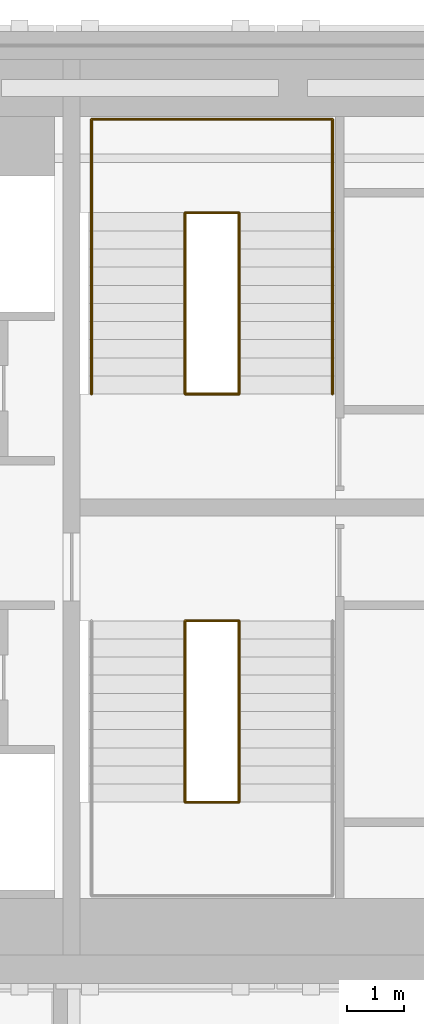
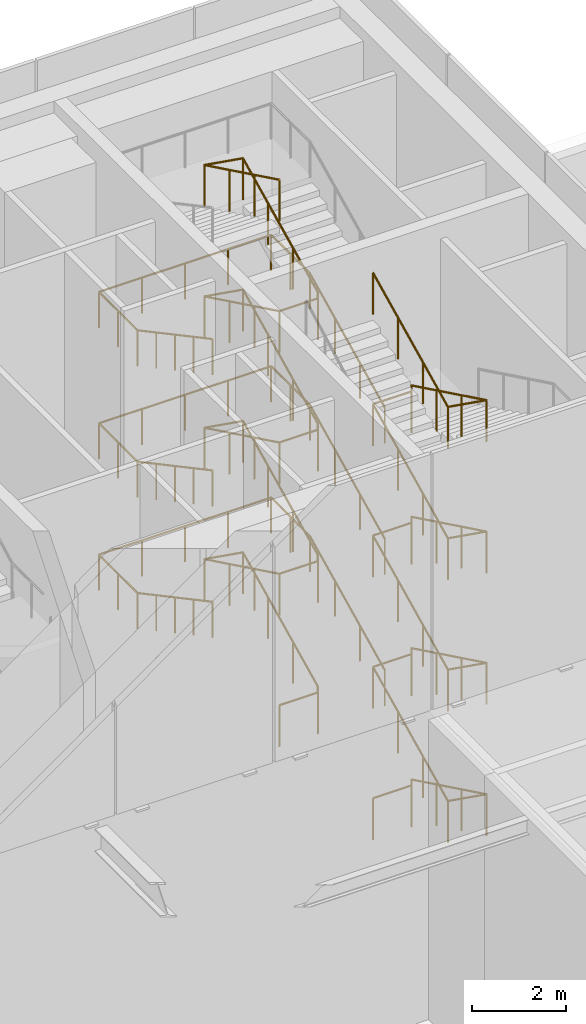
# One storey, part 13 of 14: 11 railings.
"""IFC4 building model written with IfcOpenShell, lengths in metres."""

from ifc_helpers import new_model, si_unit, direction, frame, origin, origin_2d, place, context, subcontext, project, spatial, circle, extrude, material, type_object, element, save


model = new_model("IFC4")

# Units and contexts
model_context = context("Model", 3, precision=1e-05, world=origin(), true_north=direction((0.0, 1.0)))
body_context = subcontext(model_context, "Body", "Model", "MODEL_VIEW")
ifc_project = project(units=[si_unit("LENGTHUNIT", "METRE"), si_unit("AREAUNIT", "SQUARE_METRE"), si_unit("VOLUMEUNIT", "CUBIC_METRE"), si_unit("PLANEANGLEUNIT", "RADIAN"), si_unit("MASSUNIT", "GRAM", prefix="KILO")], contexts=[model_context])

# Site, building, storey
site_placement = place(None, origin())
site = spatial("IfcSite", under=ifc_project, at=site_placement, CompositionType="ELEMENT")
building_placement = place(site_placement, origin())
building = spatial("IfcBuilding", under=site, at=building_placement, Name="Marenta Gate Hotel Tower", CompositionType="ELEMENT")
storey_placement = place(building_placement, frame((0.0, 0.0, 295.699951171875)))
storey = spatial("IfcBuildingStorey", under=building, at=storey_placement, Name="L67", CompositionType="ELEMENT", Elevation=295.699951171875)

# Railings
ifc_material_1 = material(Name="Stainless steel", Category="steel")
railing_type_1 = type_object("IfcRailingType", Name="Core stair handrail 950", PredefinedType="HANDRAIL", material=ifc_material_1)
railing_1_placement = place(storey_placement, frame((8.800048828125, 10.39990234375, 0.15576171875)))
element("IfcRailing", 1, at=railing_1_placement, inside=storey, type_object=railing_type_1, Name="HR-950 L67-KR-ST4-1", PredefinedType="HANDRAIL", context=body_context, shape_type="SweptSolid", body=[
    extrude(circle(Radius=0.02392578125, at=origin_2d()), frame((0.0, 0.0, 0.92578125), z_axis=(0.0, 0.899231441842, 0.437473215184), x_axis=(-1.0, 0.0, 0.0)), (0.0, 0.0, 1.0), 3.558837890625),
    extrude(circle(Radius=0.02392578125, at=origin_2d()), frame((0.0, 3.2001953125, 2.48291015625), z_axis=(0.0, 1.0, 0.0), x_axis=(-1.0, 0.0, 0.0)), (0.0, 0.0, 1.0), 1.64990234375),
    extrude(circle(Radius=0.02392578125, at=origin_2d()), frame((0.0, 4.85009765625, 2.48291015625), z_axis=(-1.0, 0.0, 0.0), x_axis=(0.0, -1.0, 0.0)), (0.0, 0.0, 1.0), 4.25),
    extrude(circle(Radius=0.02392578125, at=origin_2d()), frame((-4.25, 4.85009765625, 2.48291015625), z_axis=(0.0, -1.0, 0.0), x_axis=(1.0, 0.0, 0.0)), (0.0, 0.0, 1.0), 1.64990234375),
    extrude(circle(Radius=0.02392578125, at=origin_2d()), frame((-4.25, 3.2001953125, 2.48291015625), z_axis=(0.0, -0.881707861185, 0.47179576887), x_axis=(1.0, 0.0, 0.0)), (0.0, 0.0, 1.0), 3.629638671875),
    extrude(circle(Radius=0.02099609375, at=origin_2d()), origin(), (0.0, 0.0, 1.0), 0.90185546875),
    extrude(circle(Radius=0.02099609375, at=origin_2d()), frame((0.0, 1.066650390625, 0.51904296875)), (0.0, 0.0, 1.0), 0.90185546875),
    extrude(circle(Radius=0.02099609375, at=origin_2d()), frame((0.0, 2.133544921875, 1.037841796875)), (0.0, 0.0, 1.0), 0.90185546875),
    extrude(circle(Radius=0.02099609375, at=origin_2d()), frame((0.0, 3.2001953125, 1.556884765625)), (0.0, 0.0, 1.0), 0.90185546875),
    extrude(circle(Radius=0.02099609375, at=origin_2d()), frame((0.0, 4.025146484375, 1.556884765625)), (0.0, 0.0, 1.0), 0.90185546875),
    extrude(circle(Radius=0.02099609375, at=origin_2d()), frame((0.0, 4.85009765625, 1.556884765625)), (0.0, 0.0, 1.0), 0.90185546875),
    extrude(circle(Radius=0.02099609375, at=origin_2d()), frame((-1.0625, 4.85009765625, 1.556884765625)), (0.0, 0.0, 1.0), 0.90185546875),
    extrude(circle(Radius=0.02099609375, at=origin_2d()), frame((-2.125, 4.85009765625, 1.556884765625)), (0.0, 0.0, 1.0), 0.90185546875),
    extrude(circle(Radius=0.02099609375, at=origin_2d()), frame((-3.1875, 4.85009765625, 1.556884765625)), (0.0, 0.0, 1.0), 0.90185546875),
    extrude(circle(Radius=0.02099609375, at=origin_2d()), frame((-4.25, 4.85009765625, 1.556884765625)), (0.0, 0.0, 1.0), 0.90185546875),
    extrude(circle(Radius=0.02099609375, at=origin_2d()), frame((-4.25, 4.025146484375, 1.556884765625)), (0.0, 0.0, 1.0), 0.90185546875),
    extrude(circle(Radius=0.02099609375, at=origin_2d()), frame((-4.25, 3.2001953125, 1.556884765625)), (0.0, 0.0, 1.0), 0.90185546875),
    extrude(circle(Radius=0.02099609375, at=origin_2d()), frame((-4.25, 2.400146484375, 1.98486328125)), (0.0, 0.0, 1.0), 0.90185546875),
    extrude(circle(Radius=0.02099609375, at=origin_2d()), frame((-4.25, 1.60009765625, 2.4130859375)), (0.0, 0.0, 1.0), 0.90185546875),
    extrude(circle(Radius=0.02099609375, at=origin_2d()), frame((-4.25, 0.800048828125, 2.84130859375)), (0.0, 0.0, 1.0), 0.90185546875),
    extrude(circle(Radius=0.02099609375, at=origin_2d()), frame((-4.25, 0.0, 3.269287109375)), (0.0, 0.0, 1.0), 0.90185546875),
])
railing_2_placement = place(storey_placement, frame((8.800048828125, 10.39990234375, 3.580810546875)))
element("IfcRailing", 2, at=railing_2_placement, inside=storey, type_object=railing_type_1, Name="HR-950 L67-KR-ST4-3", PredefinedType="HANDRAIL", context=body_context, shape_type="SweptSolid", body=[
    extrude(circle(Radius=0.02392578125, at=origin_2d()), frame((0.0, 0.0, 0.92578125), z_axis=(0.0, 0.899258428152, 0.437417740151), x_axis=(-1.0, 0.0, 0.0)), (0.0, 0.0, 1.0), 3.55859375),
    extrude(circle(Radius=0.02392578125, at=origin_2d()), frame((0.0, 3.2001953125, 2.482421875), z_axis=(0.0, 1.0, 0.0), x_axis=(-1.0, 0.0, 0.0)), (0.0, 0.0, 1.0), 1.64990234375),
    extrude(circle(Radius=0.02392578125, at=origin_2d()), frame((0.0, 4.85009765625, 2.482421875), z_axis=(-1.0, 0.0, 0.0), x_axis=(0.0, -1.0, 0.0)), (0.0, 0.0, 1.0), 4.25),
    extrude(circle(Radius=0.02392578125, at=origin_2d()), frame((-4.25, 4.85009765625, 2.482421875), z_axis=(0.0, -1.0, 0.0), x_axis=(1.0, 0.0, 0.0)), (0.0, 0.0, 1.0), 1.64990234375),
    extrude(circle(Radius=0.02392578125, at=origin_2d()), frame((-4.25, 3.2001953125, 2.482421875), z_axis=(0.0, -0.881679879278, 0.471848058677), x_axis=(1.0, 0.0, 0.0)), (0.0, 0.0, 1.0), 3.629638671875),
    extrude(circle(Radius=0.02099609375, at=origin_2d()), origin(), (0.0, 0.0, 1.0), 0.90185546875),
    extrude(circle(Radius=0.02099609375, at=origin_2d()), frame((0.0, 1.066650390625, 0.518798828125)), (0.0, 0.0, 1.0), 0.90185546875),
    extrude(circle(Radius=0.02099609375, at=origin_2d()), frame((0.0, 2.133544921875, 1.037841796875)), (0.0, 0.0, 1.0), 0.90185546875),
    extrude(circle(Radius=0.02099609375, at=origin_2d()), frame((0.0, 3.2001953125, 1.556640625)), (0.0, 0.0, 1.0), 0.90185546875),
    extrude(circle(Radius=0.02099609375, at=origin_2d()), frame((0.0, 4.025146484375, 1.556640625)), (0.0, 0.0, 1.0), 0.90185546875),
    extrude(circle(Radius=0.02099609375, at=origin_2d()), frame((0.0, 4.85009765625, 1.556640625)), (0.0, 0.0, 1.0), 0.90185546875),
    extrude(circle(Radius=0.02099609375, at=origin_2d()), frame((-1.0625, 4.85009765625, 1.556640625)), (0.0, 0.0, 1.0), 0.90185546875),
    extrude(circle(Radius=0.02099609375, at=origin_2d()), frame((-2.125, 4.85009765625, 1.556640625)), (0.0, 0.0, 1.0), 0.90185546875),
    extrude(circle(Radius=0.02099609375, at=origin_2d()), frame((-3.1875, 4.85009765625, 1.556640625)), (0.0, 0.0, 1.0), 0.90185546875),
    extrude(circle(Radius=0.02099609375, at=origin_2d()), frame((-4.25, 4.85009765625, 1.556640625)), (0.0, 0.0, 1.0), 0.90185546875),
    extrude(circle(Radius=0.02099609375, at=origin_2d()), frame((-4.25, 4.025146484375, 1.556640625)), (0.0, 0.0, 1.0), 0.90185546875),
    extrude(circle(Radius=0.02099609375, at=origin_2d()), frame((-4.25, 3.2001953125, 1.556640625)), (0.0, 0.0, 1.0), 0.90185546875),
    extrude(circle(Radius=0.02099609375, at=origin_2d()), frame((-4.25, 2.400146484375, 1.98486328125)), (0.0, 0.0, 1.0), 0.90185546875),
    extrude(circle(Radius=0.02099609375, at=origin_2d()), frame((-4.25, 1.60009765625, 2.4130859375)), (0.0, 0.0, 1.0), 0.90185546875),
    extrude(circle(Radius=0.02099609375, at=origin_2d()), frame((-4.25, 0.800048828125, 2.841064453125)), (0.0, 0.0, 1.0), 0.90185546875),
    extrude(circle(Radius=0.02099609375, at=origin_2d()), frame((-4.25, 0.0, 3.269287109375)), (0.0, 0.0, 1.0), 0.90185546875),
])
railing_3_placement = place(storey_placement, frame((8.800048828125, 10.39990234375, 7.005615234375)))
element("IfcRailing", 3, at=railing_3_placement, inside=storey, type_object=railing_type_1, Name="HR-950 L67-KR-ST4-5", PredefinedType="HANDRAIL", context=body_context, shape_type="SweptSolid", body=[
    extrude(circle(Radius=0.02392578125, at=origin_2d()), frame((0.0, 0.0, 0.92578125), z_axis=(0.0, 0.899231441842, 0.437473215184), x_axis=(-1.0, 0.0, 0.0)), (0.0, 0.0, 1.0), 3.558837890625),
    extrude(circle(Radius=0.02392578125, at=origin_2d()), frame((0.0, 3.2001953125, 2.48291015625), z_axis=(0.0, 1.0, 0.0), x_axis=(-1.0, 0.0, 0.0)), (0.0, 0.0, 1.0), 1.64990234375),
    extrude(circle(Radius=0.02392578125, at=origin_2d()), frame((0.0, 4.85009765625, 2.48291015625), z_axis=(-1.0, 0.0, 0.0), x_axis=(0.0, -1.0, 0.0)), (0.0, 0.0, 1.0), 4.25),
    extrude(circle(Radius=0.02392578125, at=origin_2d()), frame((-4.25, 4.85009765625, 2.48291015625), z_axis=(0.0, -1.0, 0.0), x_axis=(1.0, 0.0, 0.0)), (0.0, 0.0, 1.0), 1.64990234375),
    extrude(circle(Radius=0.02392578125, at=origin_2d()), frame((-4.25, 3.2001953125, 2.48291015625), z_axis=(0.0, -0.881679879278, 0.471848058677), x_axis=(1.0, 0.0, 0.0)), (0.0, 0.0, 1.0), 3.629638671875),
    extrude(circle(Radius=0.02099609375, at=origin_2d()), origin(), (0.0, 0.0, 1.0), 0.90185546875),
    extrude(circle(Radius=0.02099609375, at=origin_2d()), frame((0.0, 1.066650390625, 0.51904296875)), (0.0, 0.0, 1.0), 0.90185546875),
    extrude(circle(Radius=0.02099609375, at=origin_2d()), frame((0.0, 2.133544921875, 1.037841796875)), (0.0, 0.0, 1.0), 0.90185546875),
    extrude(circle(Radius=0.02099609375, at=origin_2d()), frame((0.0, 3.2001953125, 1.556884765625)), (0.0, 0.0, 1.0), 0.90185546875),
    extrude(circle(Radius=0.02099609375, at=origin_2d()), frame((0.0, 4.025146484375, 1.556884765625)), (0.0, 0.0, 1.0), 0.90185546875),
    extrude(circle(Radius=0.02099609375, at=origin_2d()), frame((0.0, 4.85009765625, 1.556884765625)), (0.0, 0.0, 1.0), 0.90185546875),
    extrude(circle(Radius=0.02099609375, at=origin_2d()), frame((-1.0625, 4.85009765625, 1.556884765625)), (0.0, 0.0, 1.0), 0.90185546875),
    extrude(circle(Radius=0.02099609375, at=origin_2d()), frame((-2.125, 4.85009765625, 1.556884765625)), (0.0, 0.0, 1.0), 0.90185546875),
    extrude(circle(Radius=0.02099609375, at=origin_2d()), frame((-3.1875, 4.85009765625, 1.556884765625)), (0.0, 0.0, 1.0), 0.90185546875),
    extrude(circle(Radius=0.02099609375, at=origin_2d()), frame((-4.25, 4.85009765625, 1.556884765625)), (0.0, 0.0, 1.0), 0.90185546875),
    extrude(circle(Radius=0.02099609375, at=origin_2d()), frame((-4.25, 4.025146484375, 1.556884765625)), (0.0, 0.0, 1.0), 0.90185546875),
    extrude(circle(Radius=0.02099609375, at=origin_2d()), frame((-4.25, 3.2001953125, 1.556884765625)), (0.0, 0.0, 1.0), 0.90185546875),
    extrude(circle(Radius=0.02099609375, at=origin_2d()), frame((-4.25, 2.400146484375, 1.985107421875)), (0.0, 0.0, 1.0), 0.90185546875),
    extrude(circle(Radius=0.02099609375, at=origin_2d()), frame((-4.25, 1.60009765625, 2.4130859375)), (0.0, 0.0, 1.0), 0.90185546875),
    extrude(circle(Radius=0.02099609375, at=origin_2d()), frame((-4.25, 0.800048828125, 2.84130859375)), (0.0, 0.0, 1.0), 0.90185546875),
    extrude(circle(Radius=0.02099609375, at=origin_2d()), frame((-4.25, 0.0, 3.26953125)), (0.0, 0.0, 1.0), 0.90185546875),
])
ifc_material_2 = material(Name="Stainless steel", Category="steel")
railing_type_2 = type_object("IfcRailingType", Name="Core stair well guard 1100", PredefinedType="GUARDRAIL", material=ifc_material_2)
railing_4_placement = place(storey_placement, frame((6.199951171875, 6.39990234375, 0.0)))
element("IfcRailing", 4, at=railing_4_placement, inside=storey, type_object=railing_type_2, Name="GR-1100 L67-KR-ST3-2", PredefinedType="GUARDRAIL", context=body_context, shape_type="SweptSolid", body=[
    extrude(circle(Radius=0.02392578125, at=origin_2d()), frame((0.0, 0.0, 1.076171875), z_axis=(1.0, 0.0, 0.0), x_axis=(0.0, 1.0, 0.0)), (0.0, 0.0, 1.0), 0.949951171875),
    extrude(circle(Radius=0.02392578125, at=origin_2d()), frame((0.949951171875, 0.0, 1.076171875), z_axis=(0.0, 0.0, 1.0), x_axis=(1.0, 0.0, 0.0)), (0.0, 0.0, 1.0), 0.15576171875),
    extrude(circle(Radius=0.02392578125, at=origin_2d()), frame((0.949951171875, 0.0, 1.23193359375), z_axis=(0.0, -0.899218311435, 0.437500203862), x_axis=(1.0, 0.0, 0.0)), (0.0, 0.0, 1.0), 3.55859375),
    extrude(circle(Radius=0.02392578125, at=origin_2d()), frame((0.949951171875, -3.199951171875, 2.78857421875), z_axis=(-0.986862821655, 0.0, 0.161560425956), x_axis=(0.0, -1.0, 0.0)), (0.0, 0.0, 1.0), 0.962646484375),
    extrude(circle(Radius=0.02392578125, at=origin_2d()), frame((0.0, -3.199951171875, 2.9443359375), z_axis=(0.0, 0.899218311435, 0.437500203862), x_axis=(-1.0, 0.0, 0.0)), (0.0, 0.0, 1.0), 3.55859375),
    extrude(circle(Radius=0.02099609375, at=origin_2d()), origin(), (0.0, 0.0, 1.0), 1.052001953125),
    extrude(circle(Radius=0.02099609375, at=origin_2d()), frame((0.949951171875, 0.0, 0.0)), (0.0, 0.0, 1.0), 1.052001953125),
    extrude(circle(Radius=0.02099609375, at=origin_2d()), frame((0.949951171875, 0.0, 0.15576171875)), (0.0, 0.0, 1.0), 1.052001953125),
    extrude(circle(Radius=0.02099609375, at=origin_2d()), frame((0.949951171875, -1.066650390625, 0.6748046875)), (0.0, 0.0, 1.0), 1.052001953125),
    extrude(circle(Radius=0.02099609375, at=origin_2d()), frame((0.949951171875, -2.13330078125, 1.193603515625)), (0.0, 0.0, 1.0), 1.052001953125),
    extrude(circle(Radius=0.02099609375, at=origin_2d()), frame((0.949951171875, -3.199951171875, 1.712646484375)), (0.0, 0.0, 1.0), 1.052001953125),
    extrude(circle(Radius=0.02099609375, at=origin_2d()), frame((0.0, -3.199951171875, 1.8681640625)), (0.0, 0.0, 1.0), 1.052001953125),
    extrude(circle(Radius=0.02099609375, at=origin_2d()), frame((0.0, -2.13330078125, 2.38720703125)), (0.0, 0.0, 1.0), 1.052001953125),
    extrude(circle(Radius=0.02099609375, at=origin_2d()), frame((0.0, -1.066650390625, 2.906005859375)), (0.0, 0.0, 1.0), 1.052001953125),
    extrude(circle(Radius=0.02099609375, at=origin_2d()), frame((0.0, 0.0, 3.425048828125)), (0.0, 0.0, 1.0), 1.052001953125),
])
railing_5_placement = place(storey_placement, frame((6.199951171875, 6.39990234375, 3.425048828125)))
element("IfcRailing", 5, at=railing_5_placement, inside=storey, type_object=railing_type_2, Name="GR-1100 L67-KR-ST3-4", PredefinedType="GUARDRAIL", context=body_context, shape_type="SweptSolid", body=[
    extrude(circle(Radius=0.02392578125, at=origin_2d()), frame((0.0, 0.0, 1.076171875), z_axis=(1.0, 0.0, 0.0), x_axis=(0.0, 1.0, 0.0)), (0.0, 0.0, 1.0), 0.949951171875),
    extrude(circle(Radius=0.02392578125, at=origin_2d()), frame((0.949951171875, 0.0, 1.076171875), z_axis=(0.0, 0.0, 1.0), x_axis=(1.0, 0.0, 0.0)), (0.0, 0.0, 1.0), 0.15576171875),
    extrude(circle(Radius=0.02392578125, at=origin_2d()), frame((0.949951171875, 0.0, 1.23193359375), z_axis=(0.0, -0.899245300681, 0.437444727027), x_axis=(1.0, 0.0, 0.0)), (0.0, 0.0, 1.0), 3.55859375),
    extrude(circle(Radius=0.02392578125, at=origin_2d()), frame((0.949951171875, -3.199951171875, 2.78857421875), z_axis=(-0.986822354621, 0.0, 0.161807417694), x_axis=(0.0, -1.0, 0.0)), (0.0, 0.0, 1.0), 0.962646484375),
    extrude(circle(Radius=0.02392578125, at=origin_2d()), frame((0.0, -3.199951171875, 2.9443359375), z_axis=(0.0, 0.899218311435, 0.437500203862), x_axis=(-1.0, 0.0, 0.0)), (0.0, 0.0, 1.0), 3.55859375),
    extrude(circle(Radius=0.02099609375, at=origin_2d()), origin(), (0.0, 0.0, 1.0), 1.052001953125),
    extrude(circle(Radius=0.02099609375, at=origin_2d()), frame((0.949951171875, 0.0, 0.0)), (0.0, 0.0, 1.0), 1.052001953125),
    extrude(circle(Radius=0.02099609375, at=origin_2d()), frame((0.949951171875, 0.0, 0.15576171875)), (0.0, 0.0, 1.0), 1.052001953125),
    extrude(circle(Radius=0.02099609375, at=origin_2d()), frame((0.949951171875, -1.066650390625, 0.674560546875)), (0.0, 0.0, 1.0), 1.052001953125),
    extrude(circle(Radius=0.02099609375, at=origin_2d()), frame((0.949951171875, -2.13330078125, 1.193603515625)), (0.0, 0.0, 1.0), 1.052001953125),
    extrude(circle(Radius=0.02099609375, at=origin_2d()), frame((0.949951171875, -3.199951171875, 1.71240234375)), (0.0, 0.0, 1.0), 1.052001953125),
    extrude(circle(Radius=0.02099609375, at=origin_2d()), frame((0.0, -3.199951171875, 1.8681640625)), (0.0, 0.0, 1.0), 1.052001953125),
    extrude(circle(Radius=0.02099609375, at=origin_2d()), frame((0.0, -2.13330078125, 2.38720703125)), (0.0, 0.0, 1.0), 1.052001953125),
    extrude(circle(Radius=0.02099609375, at=origin_2d()), frame((0.0, -1.066650390625, 2.906005859375)), (0.0, 0.0, 1.0), 1.052001953125),
    extrude(circle(Radius=0.02099609375, at=origin_2d()), frame((0.0, 0.0, 3.425048828125)), (0.0, 0.0, 1.0), 1.052001953125),
])
railing_6_placement = place(storey_placement, frame((6.199951171875, 6.39990234375, 6.85009765625)))
element("IfcRailing", 6, at=railing_6_placement, inside=storey, type_object=railing_type_2, Name="GR-1100 L67-KR-ST3-6", PredefinedType="GUARDRAIL", context=body_context, shape_type="SweptSolid", body=[
    extrude(circle(Radius=0.02392578125, at=origin_2d()), frame((0.0, 0.0, 1.076171875), z_axis=(1.0, 0.0, 0.0), x_axis=(0.0, 1.0, 0.0)), (0.0, 0.0, 1.0), 0.949951171875),
    extrude(circle(Radius=0.02392578125, at=origin_2d()), frame((0.949951171875, 0.0, 1.076171875), z_axis=(0.0, 0.0, 1.0), x_axis=(1.0, 0.0, 0.0)), (0.0, 0.0, 1.0), 0.155517578125),
    extrude(circle(Radius=0.02392578125, at=origin_2d()), frame((0.949951171875, 0.0, 1.2314453125), z_axis=(0.0, -0.899218311435, 0.437500203862), x_axis=(1.0, 0.0, 0.0)), (0.0, 0.0, 1.0), 3.55859375),
    extrude(circle(Radius=0.02392578125, at=origin_2d()), frame((0.949951171875, -3.199951171875, 2.78857421875), z_axis=(-0.986822354621, 0.0, 0.161807417694), x_axis=(0.0, -1.0, 0.0)), (0.0, 0.0, 1.0), 0.962646484375),
    extrude(circle(Radius=0.02392578125, at=origin_2d()), frame((0.0, -3.199951171875, 2.9443359375), z_axis=(0.0, 0.899218311435, 0.437500203862), x_axis=(-1.0, 0.0, 0.0)), (0.0, 0.0, 1.0), 3.55859375),
    extrude(circle(Radius=0.02099609375, at=origin_2d()), origin(), (0.0, 0.0, 1.0), 1.052001953125),
    extrude(circle(Radius=0.02099609375, at=origin_2d()), frame((0.949951171875, 0.0, 0.0)), (0.0, 0.0, 1.0), 1.052001953125),
    extrude(circle(Radius=0.02099609375, at=origin_2d()), frame((0.949951171875, 0.0, 0.155517578125)), (0.0, 0.0, 1.0), 1.052001953125),
    extrude(circle(Radius=0.02099609375, at=origin_2d()), frame((0.949951171875, -1.066650390625, 0.674560546875)), (0.0, 0.0, 1.0), 1.052001953125),
    extrude(circle(Radius=0.02099609375, at=origin_2d()), frame((0.949951171875, -2.13330078125, 1.193359375)), (0.0, 0.0, 1.0), 1.052001953125),
    extrude(circle(Radius=0.02099609375, at=origin_2d()), frame((0.949951171875, -3.199951171875, 1.71240234375)), (0.0, 0.0, 1.0), 1.052001953125),
    extrude(circle(Radius=0.02099609375, at=origin_2d()), frame((0.0, -3.199951171875, 1.8681640625)), (0.0, 0.0, 1.0), 1.052001953125),
    extrude(circle(Radius=0.02099609375, at=origin_2d()), frame((0.0, -2.13330078125, 2.38720703125)), (0.0, 0.0, 1.0), 1.052001953125),
    extrude(circle(Radius=0.02099609375, at=origin_2d()), frame((0.0, -1.066650390625, 2.906005859375)), (0.0, 0.0, 1.0), 1.052001953125),
    extrude(circle(Radius=0.02099609375, at=origin_2d()), frame((0.0, 0.0, 3.425048828125)), (0.0, 0.0, 1.0), 1.052001953125),
])
railing_7_placement = place(storey_placement, frame((6.199951171875, 6.39990234375, 10.275146484375)))
element("IfcRailing", 7, at=railing_7_placement, inside=storey, type_object=railing_type_2, Name="GR-1100 L67-KR-ST3-8", PredefinedType="GUARDRAIL", context=body_context, shape_type="SweptSolid", body=[
    extrude(circle(Radius=0.02392578125, at=origin_2d()), frame((0.0, 0.0, 1.076171875), z_axis=(1.0, 0.0, 0.0), x_axis=(0.0, 1.0, 0.0)), (0.0, 0.0, 1.0), 0.949951171875),
    extrude(circle(Radius=0.02392578125, at=origin_2d()), frame((0.949951171875, 0.0, 1.076171875), z_axis=(0.0, 0.0, 1.0), x_axis=(1.0, 0.0, 0.0)), (0.0, 0.0, 1.0), 0.155517578125),
    extrude(circle(Radius=0.02392578125, at=origin_2d()), frame((0.949951171875, 0.0, 1.2314453125), z_axis=(0.0, -0.899218311435, 0.437500203862), x_axis=(1.0, 0.0, 0.0)), (0.0, 0.0, 1.0), 3.55859375),
    extrude(circle(Radius=0.02392578125, at=origin_2d()), frame((0.949951171875, -3.199951171875, 2.78857421875), z_axis=(-0.986822354621, 0.0, 0.161807417694), x_axis=(0.0, -1.0, 0.0)), (0.0, 0.0, 1.0), 0.962646484375),
    extrude(circle(Radius=0.02392578125, at=origin_2d()), frame((0.0, -3.199951171875, 2.9443359375), z_axis=(0.0, 0.899245300681, 0.437444727027), x_axis=(-1.0, 0.0, 0.0)), (0.0, 0.0, 1.0), 3.55859375),
    extrude(circle(Radius=0.02099609375, at=origin_2d()), origin(), (0.0, 0.0, 1.0), 1.052001953125),
    extrude(circle(Radius=0.02099609375, at=origin_2d()), frame((0.949951171875, 0.0, 0.0)), (0.0, 0.0, 1.0), 1.052001953125),
    extrude(circle(Radius=0.02099609375, at=origin_2d()), frame((0.949951171875, 0.0, 0.155517578125)), (0.0, 0.0, 1.0), 1.052001953125),
    extrude(circle(Radius=0.02099609375, at=origin_2d()), frame((0.949951171875, -1.066650390625, 0.674560546875)), (0.0, 0.0, 1.0), 1.052001953125),
    extrude(circle(Radius=0.02099609375, at=origin_2d()), frame((0.949951171875, -2.13330078125, 1.193359375)), (0.0, 0.0, 1.0), 1.052001953125),
    extrude(circle(Radius=0.02099609375, at=origin_2d()), frame((0.949951171875, -3.199951171875, 1.71240234375)), (0.0, 0.0, 1.0), 1.052001953125),
    extrude(circle(Radius=0.02099609375, at=origin_2d()), frame((0.0, -3.199951171875, 1.8681640625)), (0.0, 0.0, 1.0), 1.052001953125),
    extrude(circle(Radius=0.02099609375, at=origin_2d()), frame((0.0, -2.13330078125, 2.386962890625)), (0.0, 0.0, 1.0), 1.052001953125),
    extrude(circle(Radius=0.02099609375, at=origin_2d()), frame((0.0, -1.066650390625, 2.906005859375)), (0.0, 0.0, 1.0), 1.052001953125),
    extrude(circle(Radius=0.02099609375, at=origin_2d()), frame((0.0, 0.0, 3.4248046875)), (0.0, 0.0, 1.0), 1.052001953125),
])
railing_8_placement = place(storey_placement, frame((6.199951171875, 10.39990234375, 0.0)))
element("IfcRailing", 8, at=railing_8_placement, inside=storey, type_object=railing_type_2, Name="GR-1100 L67-KR-ST4-2", PredefinedType="GUARDRAIL", context=body_context, shape_type="SweptSolid", body=[
    extrude(circle(Radius=0.02392578125, at=origin_2d()), frame((0.0, 0.0, 1.076171875), z_axis=(1.0, 0.0, 0.0), x_axis=(0.0, 1.0, 0.0)), (0.0, 0.0, 1.0), 0.949951171875),
    extrude(circle(Radius=0.02392578125, at=origin_2d()), frame((0.949951171875, 0.0, 1.076171875), z_axis=(0.0, 0.0, 1.0), x_axis=(1.0, 0.0, 0.0)), (0.0, 0.0, 1.0), 0.15576171875),
    extrude(circle(Radius=0.02392578125, at=origin_2d()), frame((0.949951171875, 0.0, 1.23193359375), z_axis=(0.0, 0.899231441842, 0.437473215184), x_axis=(-1.0, 0.0, 0.0)), (0.0, 0.0, 1.0), 3.558837890625),
    extrude(circle(Radius=0.02392578125, at=origin_2d()), frame((0.949951171875, 3.2001953125, 2.78857421875), z_axis=(-0.986862821655, 0.0, 0.161560425956), x_axis=(0.0, -1.0, 0.0)), (0.0, 0.0, 1.0), 0.962646484375),
    extrude(circle(Radius=0.02392578125, at=origin_2d()), frame((0.0, 3.2001953125, 2.9443359375), z_axis=(0.0, -0.899231441842, 0.437473215184), x_axis=(1.0, 0.0, 0.0)), (0.0, 0.0, 1.0), 3.558837890625),
    extrude(circle(Radius=0.02099609375, at=origin_2d()), origin(), (0.0, 0.0, 1.0), 1.052001953125),
    extrude(circle(Radius=0.02099609375, at=origin_2d()), frame((0.949951171875, 0.0, 0.0)), (0.0, 0.0, 1.0), 1.052001953125),
    extrude(circle(Radius=0.02099609375, at=origin_2d()), frame((0.949951171875, 0.0, 0.15576171875)), (0.0, 0.0, 1.0), 1.052001953125),
    extrude(circle(Radius=0.02099609375, at=origin_2d()), frame((0.949951171875, 1.066650390625, 0.6748046875)), (0.0, 0.0, 1.0), 1.052001953125),
    extrude(circle(Radius=0.02099609375, at=origin_2d()), frame((0.949951171875, 2.133544921875, 1.193603515625)), (0.0, 0.0, 1.0), 1.052001953125),
    extrude(circle(Radius=0.02099609375, at=origin_2d()), frame((0.949951171875, 3.2001953125, 1.712646484375)), (0.0, 0.0, 1.0), 1.052001953125),
    extrude(circle(Radius=0.02099609375, at=origin_2d()), frame((0.0, 3.2001953125, 1.8681640625)), (0.0, 0.0, 1.0), 1.052001953125),
    extrude(circle(Radius=0.02099609375, at=origin_2d()), frame((0.0, 2.133544921875, 2.38720703125)), (0.0, 0.0, 1.0), 1.052001953125),
    extrude(circle(Radius=0.02099609375, at=origin_2d()), frame((0.0, 1.066650390625, 2.906005859375)), (0.0, 0.0, 1.0), 1.052001953125),
    extrude(circle(Radius=0.02099609375, at=origin_2d()), frame((0.0, 0.0, 3.425048828125)), (0.0, 0.0, 1.0), 1.052001953125),
])
railing_9_placement = place(storey_placement, frame((6.199951171875, 10.39990234375, 3.425048828125)))
element("IfcRailing", 9, at=railing_9_placement, inside=storey, type_object=railing_type_2, Name="GR-1100 L67-KR-ST4-4", PredefinedType="GUARDRAIL", context=body_context, shape_type="SweptSolid", body=[
    extrude(circle(Radius=0.02392578125, at=origin_2d()), frame((0.0, 0.0, 1.076171875), z_axis=(1.0, 0.0, 0.0), x_axis=(0.0, 1.0, 0.0)), (0.0, 0.0, 1.0), 0.949951171875),
    extrude(circle(Radius=0.02392578125, at=origin_2d()), frame((0.949951171875, 0.0, 1.076171875), z_axis=(0.0, 0.0, 1.0), x_axis=(1.0, 0.0, 0.0)), (0.0, 0.0, 1.0), 0.15576171875),
    extrude(circle(Radius=0.02392578125, at=origin_2d()), frame((0.949951171875, 0.0, 1.23193359375), z_axis=(0.0, 0.899258428152, 0.437417740151), x_axis=(-1.0, 0.0, 0.0)), (0.0, 0.0, 1.0), 3.55859375),
    extrude(circle(Radius=0.02392578125, at=origin_2d()), frame((0.949951171875, 3.2001953125, 2.78857421875), z_axis=(-0.986822354621, 0.0, 0.161807417694), x_axis=(0.0, -1.0, 0.0)), (0.0, 0.0, 1.0), 0.962646484375),
    extrude(circle(Radius=0.02392578125, at=origin_2d()), frame((0.0, 3.2001953125, 2.9443359375), z_axis=(0.0, -0.899231441842, 0.437473215184), x_axis=(1.0, 0.0, 0.0)), (0.0, 0.0, 1.0), 3.558837890625),
    extrude(circle(Radius=0.02099609375, at=origin_2d()), origin(), (0.0, 0.0, 1.0), 1.052001953125),
    extrude(circle(Radius=0.02099609375, at=origin_2d()), frame((0.949951171875, 0.0, 0.0)), (0.0, 0.0, 1.0), 1.052001953125),
    extrude(circle(Radius=0.02099609375, at=origin_2d()), frame((0.949951171875, 0.0, 0.15576171875)), (0.0, 0.0, 1.0), 1.052001953125),
    extrude(circle(Radius=0.02099609375, at=origin_2d()), frame((0.949951171875, 1.066650390625, 0.674560546875)), (0.0, 0.0, 1.0), 1.052001953125),
    extrude(circle(Radius=0.02099609375, at=origin_2d()), frame((0.949951171875, 2.133544921875, 1.193603515625)), (0.0, 0.0, 1.0), 1.052001953125),
    extrude(circle(Radius=0.02099609375, at=origin_2d()), frame((0.949951171875, 3.2001953125, 1.71240234375)), (0.0, 0.0, 1.0), 1.052001953125),
    extrude(circle(Radius=0.02099609375, at=origin_2d()), frame((0.0, 3.2001953125, 1.8681640625)), (0.0, 0.0, 1.0), 1.052001953125),
    extrude(circle(Radius=0.02099609375, at=origin_2d()), frame((0.0, 2.133544921875, 2.38720703125)), (0.0, 0.0, 1.0), 1.052001953125),
    extrude(circle(Radius=0.02099609375, at=origin_2d()), frame((0.0, 1.066650390625, 2.906005859375)), (0.0, 0.0, 1.0), 1.052001953125),
    extrude(circle(Radius=0.02099609375, at=origin_2d()), frame((0.0, 0.0, 3.425048828125)), (0.0, 0.0, 1.0), 1.052001953125),
])
railing_10_placement = place(storey_placement, frame((6.199951171875, 10.39990234375, 6.85009765625)))
element("IfcRailing", 10, at=railing_10_placement, inside=storey, type_object=railing_type_2, Name="GR-1100 L67-KR-ST4-6", PredefinedType="GUARDRAIL", context=body_context, shape_type="SweptSolid", body=[
    extrude(circle(Radius=0.02392578125, at=origin_2d()), frame((0.0, 0.0, 1.076171875), z_axis=(1.0, 0.0, 0.0), x_axis=(0.0, 1.0, 0.0)), (0.0, 0.0, 1.0), 0.949951171875),
    extrude(circle(Radius=0.02392578125, at=origin_2d()), frame((0.949951171875, 0.0, 1.076171875), z_axis=(0.0, 0.0, 1.0), x_axis=(1.0, 0.0, 0.0)), (0.0, 0.0, 1.0), 0.155517578125),
    extrude(circle(Radius=0.02392578125, at=origin_2d()), frame((0.949951171875, 0.0, 1.2314453125), z_axis=(0.0, 0.899231441842, 0.437473215184), x_axis=(-1.0, 0.0, 0.0)), (0.0, 0.0, 1.0), 3.558837890625),
    extrude(circle(Radius=0.02392578125, at=origin_2d()), frame((0.949951171875, 3.2001953125, 2.78857421875), z_axis=(-0.986822354621, 0.0, 0.161807417694), x_axis=(0.0, -1.0, 0.0)), (0.0, 0.0, 1.0), 0.962646484375),
    extrude(circle(Radius=0.02392578125, at=origin_2d()), frame((0.0, 3.2001953125, 2.9443359375), z_axis=(0.0, -0.899231441842, 0.437473215184), x_axis=(1.0, 0.0, 0.0)), (0.0, 0.0, 1.0), 3.558837890625),
    extrude(circle(Radius=0.02099609375, at=origin_2d()), origin(), (0.0, 0.0, 1.0), 1.052001953125),
    extrude(circle(Radius=0.02099609375, at=origin_2d()), frame((0.949951171875, 0.0, 0.0)), (0.0, 0.0, 1.0), 1.052001953125),
    extrude(circle(Radius=0.02099609375, at=origin_2d()), frame((0.949951171875, 0.0, 0.155517578125)), (0.0, 0.0, 1.0), 1.052001953125),
    extrude(circle(Radius=0.02099609375, at=origin_2d()), frame((0.949951171875, 1.066650390625, 0.674560546875)), (0.0, 0.0, 1.0), 1.052001953125),
    extrude(circle(Radius=0.02099609375, at=origin_2d()), frame((0.949951171875, 2.133544921875, 1.193359375)), (0.0, 0.0, 1.0), 1.052001953125),
    extrude(circle(Radius=0.02099609375, at=origin_2d()), frame((0.949951171875, 3.2001953125, 1.71240234375)), (0.0, 0.0, 1.0), 1.052001953125),
    extrude(circle(Radius=0.02099609375, at=origin_2d()), frame((0.0, 3.2001953125, 1.8681640625)), (0.0, 0.0, 1.0), 1.052001953125),
    extrude(circle(Radius=0.02099609375, at=origin_2d()), frame((0.0, 2.133544921875, 2.38720703125)), (0.0, 0.0, 1.0), 1.052001953125),
    extrude(circle(Radius=0.02099609375, at=origin_2d()), frame((0.0, 1.066650390625, 2.906005859375)), (0.0, 0.0, 1.0), 1.052001953125),
    extrude(circle(Radius=0.02099609375, at=origin_2d()), frame((0.0, 0.0, 3.425048828125)), (0.0, 0.0, 1.0), 1.052001953125),
])
railing_11_placement = place(storey_placement, frame((6.199951171875, 10.39990234375, 10.275146484375)))
element("IfcRailing", 11, at=railing_11_placement, inside=storey, type_object=railing_type_2, Name="GR-1100 L67-KR-ST4-8", PredefinedType="GUARDRAIL", context=body_context, shape_type="SweptSolid", body=[
    extrude(circle(Radius=0.02392578125, at=origin_2d()), frame((0.0, 0.0, 1.076171875), z_axis=(1.0, 0.0, 0.0), x_axis=(0.0, 1.0, 0.0)), (0.0, 0.0, 1.0), 0.949951171875),
    extrude(circle(Radius=0.02392578125, at=origin_2d()), frame((0.949951171875, 0.0, 1.076171875), z_axis=(0.0, 0.0, 1.0), x_axis=(1.0, 0.0, 0.0)), (0.0, 0.0, 1.0), 0.155517578125),
    extrude(circle(Radius=0.02392578125, at=origin_2d()), frame((0.949951171875, 0.0, 1.2314453125), z_axis=(0.0, 0.899231441842, 0.437473215184), x_axis=(-1.0, 0.0, 0.0)), (0.0, 0.0, 1.0), 3.558837890625),
    extrude(circle(Radius=0.02392578125, at=origin_2d()), frame((0.949951171875, 3.2001953125, 2.78857421875), z_axis=(-0.986822354621, 0.0, 0.161807417694), x_axis=(0.0, -1.0, 0.0)), (0.0, 0.0, 1.0), 0.962646484375),
    extrude(circle(Radius=0.02392578125, at=origin_2d()), frame((0.0, 3.2001953125, 2.9443359375), z_axis=(0.0, -0.899258428152, 0.437417740151), x_axis=(1.0, 0.0, 0.0)), (0.0, 0.0, 1.0), 3.55859375),
    extrude(circle(Radius=0.02099609375, at=origin_2d()), origin(), (0.0, 0.0, 1.0), 1.052001953125),
    extrude(circle(Radius=0.02099609375, at=origin_2d()), frame((0.949951171875, 0.0, 0.0)), (0.0, 0.0, 1.0), 1.052001953125),
    extrude(circle(Radius=0.02099609375, at=origin_2d()), frame((0.949951171875, 0.0, 0.155517578125)), (0.0, 0.0, 1.0), 1.052001953125),
    extrude(circle(Radius=0.02099609375, at=origin_2d()), frame((0.949951171875, 1.066650390625, 0.674560546875)), (0.0, 0.0, 1.0), 1.052001953125),
    extrude(circle(Radius=0.02099609375, at=origin_2d()), frame((0.949951171875, 2.133544921875, 1.193359375)), (0.0, 0.0, 1.0), 1.052001953125),
    extrude(circle(Radius=0.02099609375, at=origin_2d()), frame((0.949951171875, 3.2001953125, 1.71240234375)), (0.0, 0.0, 1.0), 1.052001953125),
    extrude(circle(Radius=0.02099609375, at=origin_2d()), frame((0.0, 3.2001953125, 1.8681640625)), (0.0, 0.0, 1.0), 1.052001953125),
    extrude(circle(Radius=0.02099609375, at=origin_2d()), frame((0.0, 2.133544921875, 2.386962890625)), (0.0, 0.0, 1.0), 1.052001953125),
    extrude(circle(Radius=0.02099609375, at=origin_2d()), frame((0.0, 1.066650390625, 2.906005859375)), (0.0, 0.0, 1.0), 1.052001953125),
    extrude(circle(Radius=0.02099609375, at=origin_2d()), frame((0.0, 0.0, 3.4248046875)), (0.0, 0.0, 1.0), 1.052001953125),
])

save(model, "model.ifc")
